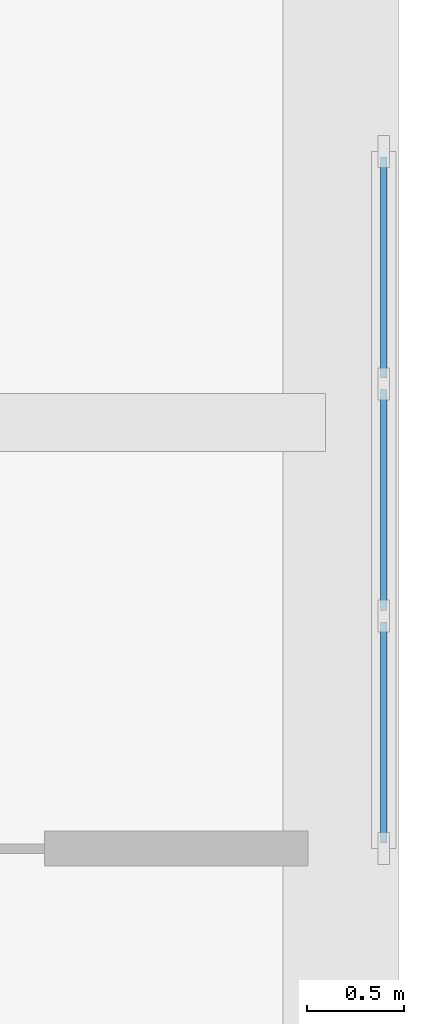
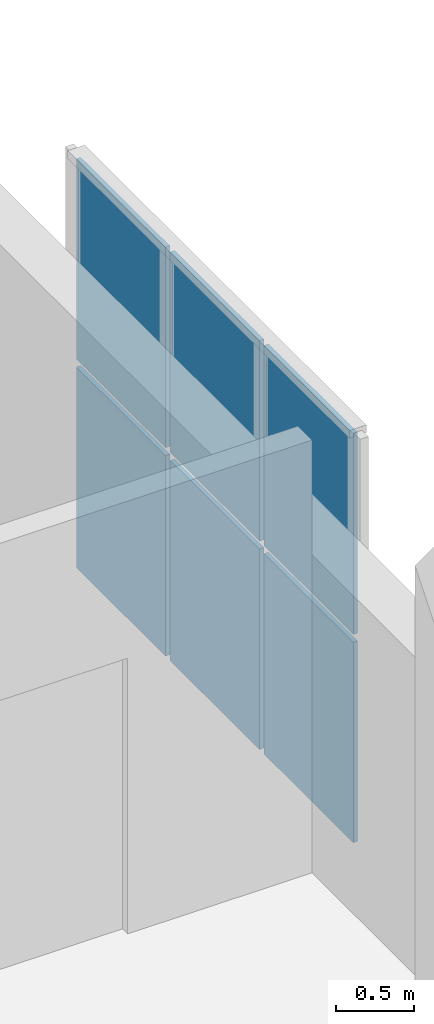
# One storey, part 11 of 26: 6 plates, 1 element without a shape of its own.
"""IFC4 building model written with IfcOpenShell, lengths in metres."""

from ifc_helpers import new_model, si_unit, derived_unit, direction, frame, origin, origin_2d, place, context, subcontext, project, spatial, rectangle, extrude, material, layer, layer_set, type_object, element, aggregate, save


model = new_model("IFC4")

# Units and contexts
model_context = context("Model", 3, precision=1e-05, world=origin(), true_north=direction((0.0, 1.0)))
body_context = subcontext(model_context, "Body", "Model", "MODEL_VIEW")
ifc_project = project(units=[si_unit("LENGTHUNIT", "METRE"), si_unit("AREAUNIT", "SQUARE_METRE"), si_unit("VOLUMEUNIT", "CUBIC_METRE"), si_unit("PLANEANGLEUNIT", "RADIAN"), si_unit("MASSUNIT", "GRAM", prefix="KILO"), derived_unit("THERMALTRANSMITTANCEUNIT", [(si_unit("POWERUNIT", "WATT"), 1), (si_unit("LENGTHUNIT", "METRE"), -2), (si_unit("THERMODYNAMICTEMPERATUREUNIT", "KELVIN"), -1)])], contexts=[model_context])

# Site, building, storey
site_placement = place(None, origin())
site = spatial("IfcSite", under=ifc_project, at=site_placement, CompositionType="ELEMENT")
building_placement = place(site_placement, origin())
building = spatial("IfcBuilding", under=site, at=building_placement, Name="Barrovel Congress Hotel", CompositionType="ELEMENT")
storey_placement = place(building_placement, frame((0.0, 0.0, 21.89990234375)))
storey = spatial("IfcBuildingStorey", under=building, at=storey_placement, Name="L05", CompositionType="ELEMENT", Elevation=21.89990234375)

# Curtain wall, plates
ifc_material_1 = material(Name="Anodised Aluminium Alloy 6063-T6", Category="aluminium")
curtain_wall_type = type_object("IfcCurtainWallType", Name="CW-UN-3600x3200", PredefinedType="USERDEFINED", material=ifc_material_1)
curtain_wall_placement = place(storey_placement, origin())
curtain_wall = element("IfcCurtainWall", 1, at=curtain_wall_placement, inside=storey, type_object=curtain_wall_type, Name="CW:L05:UN-1", ObjectType="UNITISED CURTAIN WALL", PredefinedType="USERDEFINED")
ifc_material_2 = material(Name="Double Low-E Insulated Glazing", Category="glass")
ifc_layer = layer(ifc_material_2, 0.031982421875)
ifc_layer_set = layer_set([ifc_layer], Name="Double Low-E Insulated Glazing")
plate_type = type_object("IfcPlateType", Name="CWP-32", PredefinedType="CURTAIN_PANEL", material=ifc_layer_set)
plate_1_placement = place(storey_placement, frame((168.219970703125, 15.199951171875, 0.030029296875), z_axis=(0.0, 0.0, 1.0), x_axis=(0.0, 1.0, 0.0)))
plate_1 = element("IfcPlate", 2, at=plate_1_placement, type_object=plate_type, Name="CW:L05:UN-1:P0-0", PredefinedType="CURTAIN_PANEL", context=body_context, shape_type="SweptSolid", body=[
    extrude(rectangle(XDim=1.139892578125, YDim=0.031982421875, at=origin_2d()), origin(), (0.0, 0.0, 1.0), 1.56494140625),
])
plate_2_placement = place(storey_placement, frame((168.219970703125, 15.199951171875, 1.655029296875), z_axis=(0.0, 0.0, 1.0), x_axis=(0.0, 1.0, 0.0)))
plate_2 = element("IfcPlate", 3, at=plate_2_placement, type_object=plate_type, Name="CW:L05:UN-1:P0-1", PredefinedType="CURTAIN_PANEL", context=body_context, shape_type="SweptSolid", body=[
    extrude(rectangle(XDim=1.139892578125, YDim=0.031982421875, at=origin_2d()), origin(), (0.0, 0.0, 1.0), 1.56494140625),
])
plate_3_placement = place(storey_placement, frame((168.219970703125, 16.39990234375, 0.030029296875), z_axis=(0.0, 0.0, 1.0), x_axis=(0.0, 1.0, 0.0)))
plate_3 = element("IfcPlate", 4, at=plate_3_placement, type_object=plate_type, Name="CW:L05:UN-1:P1-0", PredefinedType="CURTAIN_PANEL", context=body_context, shape_type="SweptSolid", body=[
    extrude(rectangle(XDim=1.139892578125, YDim=0.031982421875, at=origin_2d()), origin(), (0.0, 0.0, 1.0), 1.56494140625),
])
plate_4_placement = place(storey_placement, frame((168.219970703125, 16.39990234375, 1.655029296875), z_axis=(0.0, 0.0, 1.0), x_axis=(0.0, 1.0, 0.0)))
plate_4 = element("IfcPlate", 5, at=plate_4_placement, type_object=plate_type, Name="CW:L05:UN-1:P1-1", PredefinedType="CURTAIN_PANEL", context=body_context, shape_type="SweptSolid", body=[
    extrude(rectangle(XDim=1.139892578125, YDim=0.031982421875, at=origin_2d()), origin(), (0.0, 0.0, 1.0), 1.56494140625),
])
plate_5_placement = place(storey_placement, frame((168.219970703125, 17.60009765625, 0.030029296875), z_axis=(0.0, 0.0, 1.0), x_axis=(0.0, 1.0, 0.0)))
plate_5 = element("IfcPlate", 6, at=plate_5_placement, type_object=plate_type, Name="CW:L05:UN-1:P2-0", PredefinedType="CURTAIN_PANEL", context=body_context, shape_type="SweptSolid", body=[
    extrude(rectangle(XDim=1.139892578125, YDim=0.031982421875, at=origin_2d()), origin(), (0.0, 0.0, 1.0), 1.56494140625),
])
plate_6_placement = place(storey_placement, frame((168.219970703125, 17.60009765625, 1.655029296875), z_axis=(0.0, 0.0, 1.0), x_axis=(0.0, 1.0, 0.0)))
plate_6 = element("IfcPlate", 7, at=plate_6_placement, type_object=plate_type, Name="CW:L05:UN-1:P2-1", PredefinedType="CURTAIN_PANEL", context=body_context, shape_type="SweptSolid", body=[
    extrude(rectangle(XDim=1.139892578125, YDim=0.031982421875, at=origin_2d()), origin(), (0.0, 0.0, 1.0), 1.56494140625),
])
aggregate(curtain_wall, [plate_1, plate_2, plate_3, plate_4, plate_5, plate_6])

save(model, "model.ifc")
